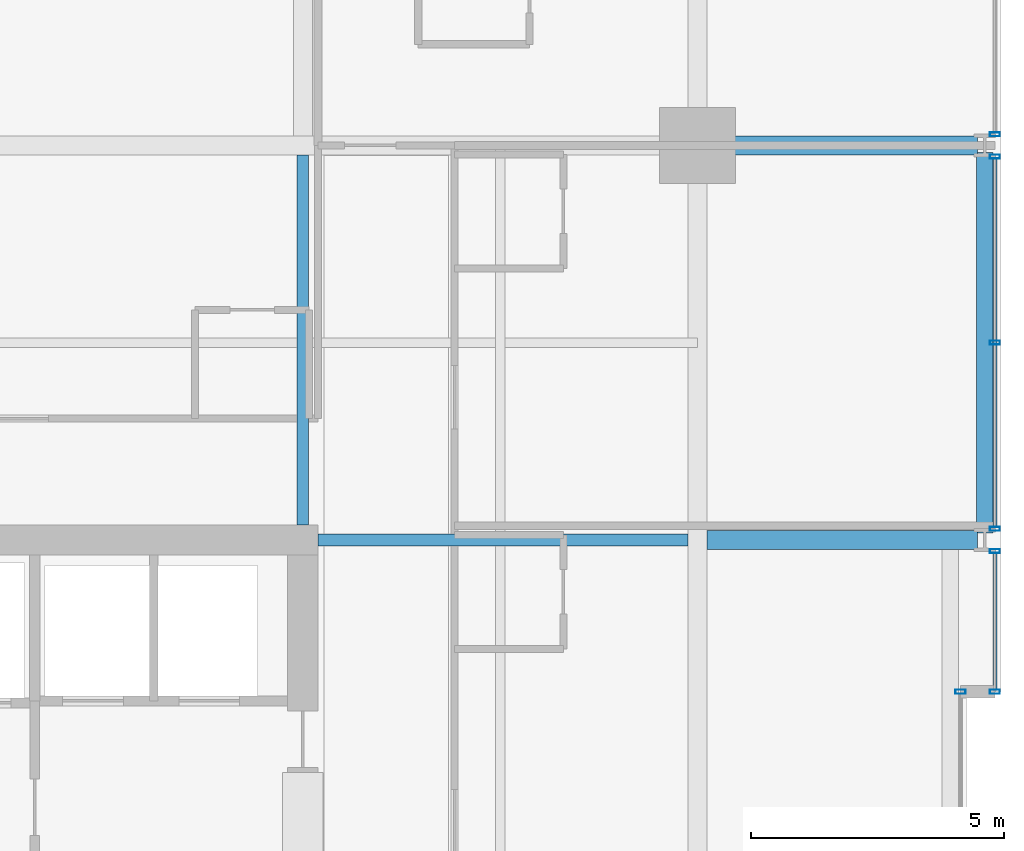
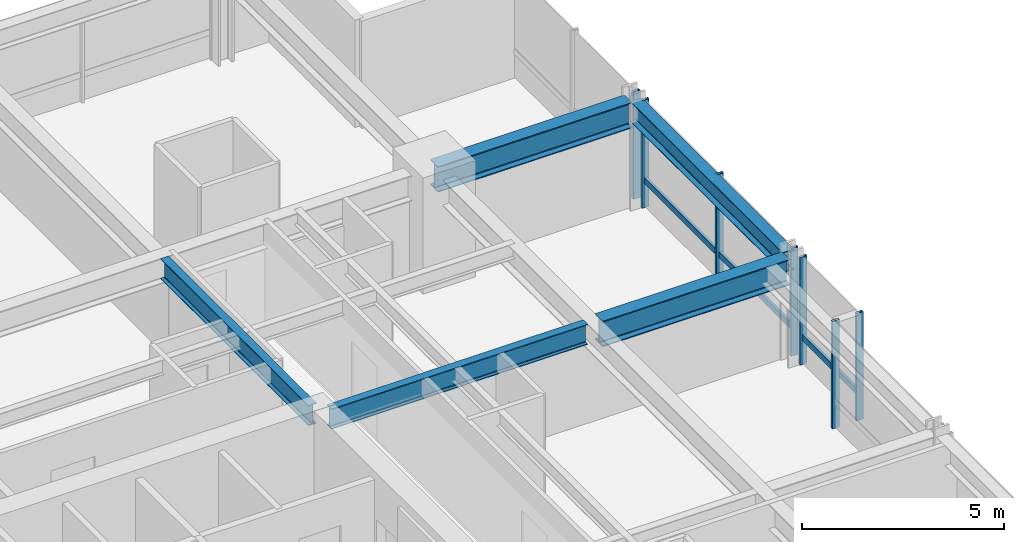
# One storey, part 23 of 33: 9 members, 5 beams, 4 elements without a shape of their own.
"""IFC4 building model written with IfcOpenShell, lengths in metres."""

from ifc_helpers import new_model, si_unit, direction, frame, origin, origin_2d, place, context, subcontext, project, spatial, hollow_rectangle, i_section, extrude, material, layer, layer_set, material_profile, profile_set, type_object, element, aggregate, save


model = new_model("IFC4")

# Units and contexts
model_context = context("Model", 3, precision=1e-05, world=origin(), true_north=direction((0.0, 1.0)))
body_context = subcontext(model_context, "Body", "Model", "MODEL_VIEW")
ifc_project = project(units=[si_unit("LENGTHUNIT", "METRE"), si_unit("AREAUNIT", "SQUARE_METRE"), si_unit("VOLUMEUNIT", "CUBIC_METRE"), si_unit("PLANEANGLEUNIT", "RADIAN"), si_unit("MASSUNIT", "GRAM", prefix="KILO")], contexts=[model_context])

# Site, building, storey
site_placement = place(None, origin())
site = spatial("IfcSite", under=ifc_project, at=site_placement, CompositionType="ELEMENT")
building_placement = place(site_placement, origin())
building = spatial("IfcBuilding", under=site, at=building_placement, Name="Drelvath Grand Hotel", CompositionType="ELEMENT")
storey_placement = place(building_placement, frame((0.0, 0.0, 105.800048828125)))
storey = spatial("IfcBuildingStorey", under=building, at=storey_placement, Name="L26", CompositionType="ELEMENT", Elevation=105.800048828125)

# Curtain wall, member
ifc_material_1 = material(Name="Champagne Bronze Anodised Aluminium Frame", Category="aluminium")
ifc_layer = layer(ifc_material_1, 0.199951171875)
ifc_layer_set = layer_set([ifc_layer], Name="Champagne Bronze Anodised Aluminium Frame")
curtain_wall_type = type_object("IfcCurtainWallType", Name="Stick Curtain Wall CW-03 Champagne Bronze Mid-Rise", PredefinedType="NOTDEFINED", material=ifc_layer_set)
curtain_wall_1_placement = place(storey_placement, origin())
curtain_wall_1 = element("IfcCurtainWall", 1, at=curtain_wall_1_placement, inside=storey, type_object=curtain_wall_type, Name="L26 CW-03 Curtain Wall CW03-L26-EN1", PredefinedType="NOTDEFINED")
ifc_material_profile_1 = material_profile(ifc_material_1, hollow_rectangle(XDim=0.074951171875, YDim=0.179931640625, WallThickness=0.0048828125, at=origin_2d()), Name="HSS180X75X5")
ifc_profile_set_1 = profile_set([ifc_material_profile_1], Name="Champagne Bronze Anodised Aluminium Frame")
member_type_1 = type_object("IfcMemberType", Name="Curtain Wall Horizontal Transom CW-03 HSS180X75X5", PredefinedType="USERDEFINED", material=ifc_profile_set_1)
member_1_placement = place(storey_placement, frame((22.080078125, 35.140380859375, 0.81005859375), z_axis=(0.0, -1.0, 0.0), x_axis=(1.0, 0.0, 0.0)))
member_1 = element("IfcMember", 2, at=member_1_placement, type_object=member_type_1, Name="CW03-L26-EN1 Sill Transom", ObjectType="TRANSOM", PredefinedType="USERDEFINED", context=body_context, shape_type="SweptSolid", body=[
    extrude(hollow_rectangle(XDim=0.074951171875, YDim=0.179931640625, WallThickness=0.0048828125, at=origin_2d()), origin(), (0.0, 0.0, 1.0), 2.700439453125),
])

curtain_wall_2_placement = place(storey_placement, origin())
curtain_wall_2 = element("IfcCurtainWall", 3, at=curtain_wall_2_placement, inside=storey, type_object=curtain_wall_type, Name="L26 CW-03 Curtain Wall CW03-L26-EN2", PredefinedType="NOTDEFINED")
member_2_placement = place(storey_placement, frame((22.080078125, 42.9404296875, 0.81005859375), z_axis=(0.0, -1.0, 0.0), x_axis=(1.0, 0.0, 0.0)))
member_2 = element("IfcMember", 4, at=member_2_placement, type_object=member_type_1, Name="CW03-L26-EN2 Sill Transom", ObjectType="TRANSOM", PredefinedType="USERDEFINED", context=body_context, shape_type="SweptSolid", body=[
    extrude(hollow_rectangle(XDim=0.074951171875, YDim=0.179931640625, WallThickness=0.0048828125, at=origin_2d()), origin(), (0.0, 0.0, 1.0), 7.28076171875),
])

# Member
ifc_material_profile_2 = material_profile(ifc_material_1, hollow_rectangle(XDim=0.080078125, YDim=0.199951171875, WallThickness=0.0048828125, at=origin_2d()), Name="HSS200X80X5")
ifc_profile_set_2 = profile_set([ifc_material_profile_2], Name="Champagne Bronze Anodised Aluminium Frame")
member_type_2 = type_object("IfcMemberType", Name="Curtain Wall Vertical Mullion CW-03 HSS200X80X5", PredefinedType="MULLION", material=ifc_profile_set_2)
member_3_placement = place(storey_placement, frame((22.080078125, 35.180419921875, 0.0), z_axis=(0.0, 0.0, 1.0), x_axis=(0.0, 1.0, 0.0)))
member_3 = element("IfcMember", 5, at=member_3_placement, type_object=member_type_2, Name="CW03-L26-EN1 Mullion 1", PredefinedType="MULLION", context=body_context, shape_type="SweptSolid", body=[
    extrude(hollow_rectangle(XDim=0.080078125, YDim=0.199951171875, WallThickness=0.0048828125, at=origin_2d()), origin(), (0.0, 0.0, 1.0), 3.239990234375),
])

member_4_placement = place(storey_placement, frame((22.080078125, 32.39990234375, 0.0), z_axis=(0.0, 0.0, 1.0), x_axis=(0.0, 1.0, 0.0)))
member_4 = element("IfcMember", 6, at=member_4_placement, type_object=member_type_2, Name="CW03-L26-EN1 Mullion 2", PredefinedType="MULLION", context=body_context, shape_type="SweptSolid", body=[
    extrude(hollow_rectangle(XDim=0.080078125, YDim=0.199951171875, WallThickness=0.0048828125, at=origin_2d()), origin(), (0.0, 0.0, 1.0), 3.239990234375),
])

aggregate(curtain_wall_1, [member_3, member_4, member_1])

member_5_placement = place(storey_placement, frame((22.080078125, 42.98046875, 0.0), z_axis=(0.0, 0.0, 1.0), x_axis=(0.0, 1.0, 0.0)))
member_5 = element("IfcMember", 7, at=member_5_placement, type_object=member_type_2, Name="CW03-L26-EN2 Mullion 1", PredefinedType="MULLION", context=body_context, shape_type="SweptSolid", body=[
    extrude(hollow_rectangle(XDim=0.080078125, YDim=0.199951171875, WallThickness=0.0048828125, at=origin_2d()), origin(), (0.0, 0.0, 1.0), 3.239990234375),
])

member_6_placement = place(storey_placement, frame((22.080078125, 39.300048828125, 0.0), z_axis=(0.0, 0.0, 1.0), x_axis=(0.0, 1.0, 0.0)))
member_6 = element("IfcMember", 8, at=member_6_placement, type_object=member_type_2, Name="CW03-L26-EN2 Mullion 2", PredefinedType="MULLION", context=body_context, shape_type="SweptSolid", body=[
    extrude(hollow_rectangle(XDim=0.080078125, YDim=0.199951171875, WallThickness=0.0048828125, at=origin_2d()), origin(), (0.0, 0.0, 1.0), 3.239990234375),
])

member_7_placement = place(storey_placement, frame((22.080078125, 35.61962890625, 0.0), z_axis=(0.0, 0.0, 1.0), x_axis=(0.0, 1.0, 0.0)))
member_7 = element("IfcMember", 9, at=member_7_placement, type_object=member_type_2, Name="CW03-L26-EN2 Mullion 3", PredefinedType="MULLION", context=body_context, shape_type="SweptSolid", body=[
    extrude(hollow_rectangle(XDim=0.080078125, YDim=0.199951171875, WallThickness=0.0048828125, at=origin_2d()), origin(), (0.0, 0.0, 1.0), 3.239990234375),
])

aggregate(curtain_wall_2, [member_5, member_6, member_7, member_2])

# Curtain wall, member
curtain_wall_3_placement = place(storey_placement, origin())
curtain_wall_3 = element("IfcCurtainWall", 10, at=curtain_wall_3_placement, inside=storey, type_object=curtain_wall_type, Name="L26 CW-03 Curtain Wall CW03-L26-EN3", PredefinedType="NOTDEFINED")
member_8_placement = place(storey_placement, frame((22.080078125, 43.419677734375, 0.0), z_axis=(0.0, 0.0, 1.0), x_axis=(0.0, 1.0, 0.0)))
member_8 = element("IfcMember", 11, at=member_8_placement, type_object=member_type_2, Name="CW03-L26-EN3 Mullion 3", PredefinedType="MULLION", context=body_context, shape_type="SweptSolid", body=[
    extrude(hollow_rectangle(XDim=0.080078125, YDim=0.199951171875, WallThickness=0.0048828125, at=origin_2d()), origin(), (0.0, 0.0, 1.0), 3.239990234375),
])
aggregate(curtain_wall_3, [member_8])

curtain_wall_4_placement = place(storey_placement, origin())
curtain_wall_4 = element("IfcCurtainWall", 12, at=curtain_wall_4_placement, inside=storey, type_object=curtain_wall_type, Name="L26 CW-03 Curtain Wall CW03-L26-EM2", PredefinedType="NOTDEFINED")
member_9_placement = place(storey_placement, frame((21.39990234375, 32.39990234375, 0.0), z_axis=(0.0, 0.0, 1.0), x_axis=(0.0, 1.0, 0.0)))
member_9 = element("IfcMember", 13, at=member_9_placement, type_object=member_type_2, Name="CW03-L26-EM2 Mullion 1", PredefinedType="MULLION", context=body_context, shape_type="SweptSolid", body=[
    extrude(hollow_rectangle(XDim=0.080078125, YDim=0.199951171875, WallThickness=0.0048828125, at=origin_2d()), origin(), (0.0, 0.0, 1.0), 3.239990234375),
])
aggregate(curtain_wall_4, [member_9])

# Beams
ifc_material_2 = material(Name="Steel ASTM A992 Gr 50", Category="steel")
ifc_material_profile_3 = material_profile(ifc_material_2, i_section(OverallWidth=0.323974609375, OverallDepth=0.611083984375, WebThickness=0.0126953125, FlangeThickness=0.01904296875, FilletRadius=0.02197265625, at=origin_2d()), Name="W24X104")
ifc_profile_set_3 = profile_set([ifc_material_profile_3], Name="Steel ASTM A992 Gr 50")
beam_type_1 = type_object("IfcBeamType", Name="Perimeter Spandrel Beam W24X104", PredefinedType="SPANDREL", material=ifc_profile_set_3)
beam_1_placement = place(storey_placement, frame((21.8798828125, 35.5400390625, 2.9345703125), z_axis=(0.0, 1.0, 0.0), x_axis=(-1.0, 0.0, 0.0)))
element("IfcBeam", 14, at=beam_1_placement, inside=storey, type_object=beam_type_1, Name="L26 Spandrel East N", PredefinedType="SPANDREL", context=body_context, shape_type="SweptSolid", body=[
    extrude(i_section(OverallWidth=0.323974609375, OverallDepth=0.611083984375, WebThickness=0.0126953125, FlangeThickness=0.01904296875, FilletRadius=0.02197265625, at=origin_2d()), origin(), (0.0, 0.0, 1.0), 7.52001953125),
])
ifc_material_profile_4 = material_profile(ifc_material_2, i_section(OverallWidth=0.228271484375, OverallDepth=0.607666015625, WebThickness=0.01123046875, FlangeThickness=0.017333984375, FilletRadius=0.02001953125, at=origin_2d()), Name="W24X76")
ifc_profile_set_4 = profile_set([ifc_material_profile_4], Name="Steel ASTM A992 Gr 50")
beam_type_2 = type_object("IfcBeamType", Name="Primary Floor Girder W24X76", PredefinedType="BEAM", material=ifc_profile_set_4)
for number, where, z_axis, x_axis, name in (
    (15, (8.699951171875, 35.39990234375, 2.93603515625), (1.0, 0.0, 0.0), (0.0, 1.0, 0.0), "L26 East Core Tie F"),
    (16, (8.39990234375, 35.699951171875, 2.93603515625), (0.0, 1.0, 0.0), (-1.0, 0.0, 0.0), "L26 North Core Tie 6"),
):
    element("IfcBeam", number, at=place(storey_placement, frame(where, z_axis=z_axis, x_axis=x_axis)), inside=storey, type_object=beam_type_2, Name=name, PredefinedType="BEAM", context=body_context, shape_type="SweptSolid", body=[
        extrude(i_section(OverallWidth=0.228271484375, OverallDepth=0.607666015625, WebThickness=0.01123046875, FlangeThickness=0.017333984375, FilletRadius=0.02001953125, at=origin_2d()), origin(), (0.0, 0.0, 1.0), 7.309814453125),
    ])
ifc_material_profile_5 = material_profile(ifc_material_2, i_section(OverallWidth=0.380615234375, OverallDepth=0.773193359375, WebThickness=0.0166015625, FlangeThickness=0.027099609375, FilletRadius=0.02490234375, at=origin_2d()), Name="W30X173")
ifc_profile_set_5 = profile_set([ifc_material_profile_5], Name="Steel ASTM A992 Gr 50")
beam_type_3 = type_object("IfcBeamType", Name="Primary Floor Girder W30X173", PredefinedType="BEAM", material=ifc_profile_set_5)
beam_2_placement = place(storey_placement, frame((16.199951171875, 43.199951171875, 2.853271484375), z_axis=(1.0, 0.0, 0.0), x_axis=(0.0, 1.0, 0.0)))
element("IfcBeam", 17, at=beam_2_placement, inside=storey, type_object=beam_type_3, Name="L26 East Grid Girder G", PredefinedType="BEAM", context=body_context, shape_type="SweptSolid", body=[
    extrude(i_section(OverallWidth=0.380615234375, OverallDepth=0.773193359375, WebThickness=0.0166015625, FlangeThickness=0.027099609375, FilletRadius=0.02490234375, at=origin_2d()), origin(), (0.0, 0.0, 1.0), 5.5400390625),
])
beam_3_placement = place(storey_placement, frame((16.390380859375, 35.39990234375, 2.853271484375), z_axis=(1.0, 0.0, 0.0), x_axis=(0.0, 1.0, 0.0)))
element("IfcBeam", 18, at=beam_3_placement, inside=storey, type_object=beam_type_3, Name="L26 East Wing Girder F", PredefinedType="BEAM", context=body_context, shape_type="SweptSolid", body=[
    extrude(i_section(OverallWidth=0.380615234375, OverallDepth=0.773193359375, WebThickness=0.0166015625, FlangeThickness=0.027099609375, FilletRadius=0.02490234375, at=origin_2d()), origin(), (0.0, 0.0, 1.0), 5.349609375),
])

save(model, "model.ifc")
